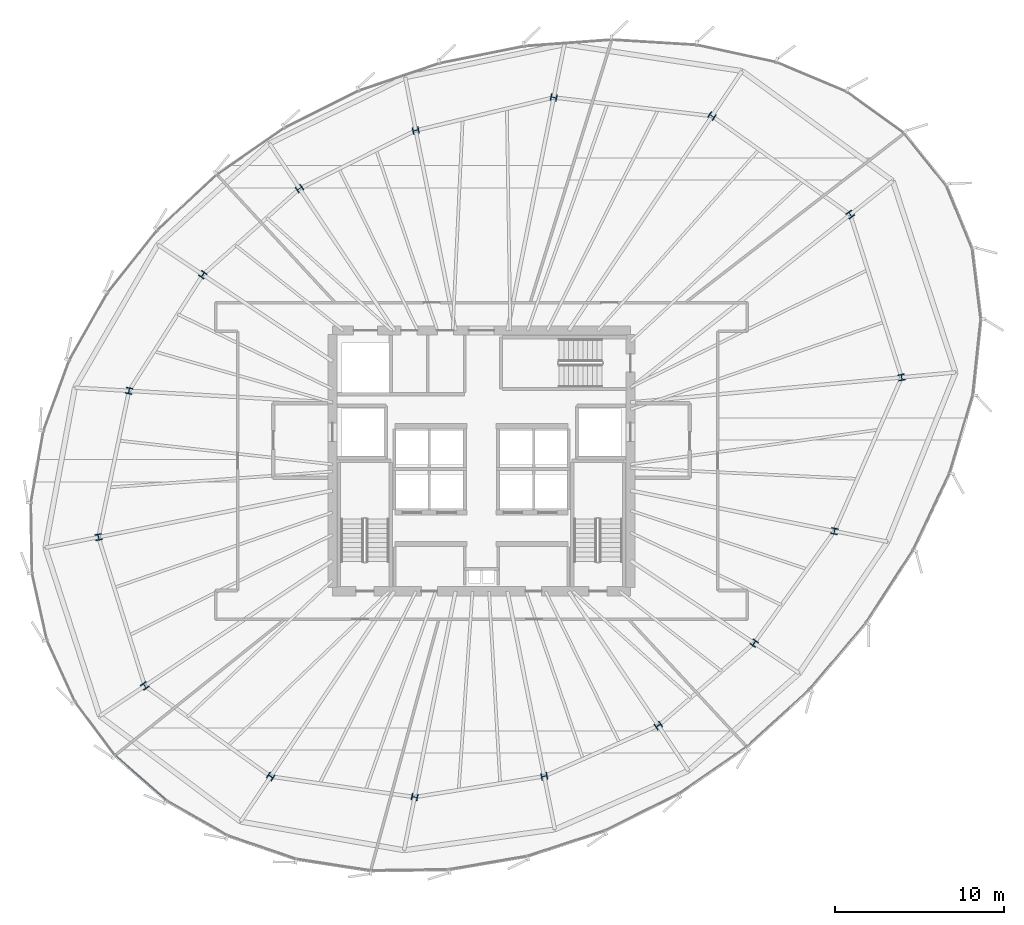
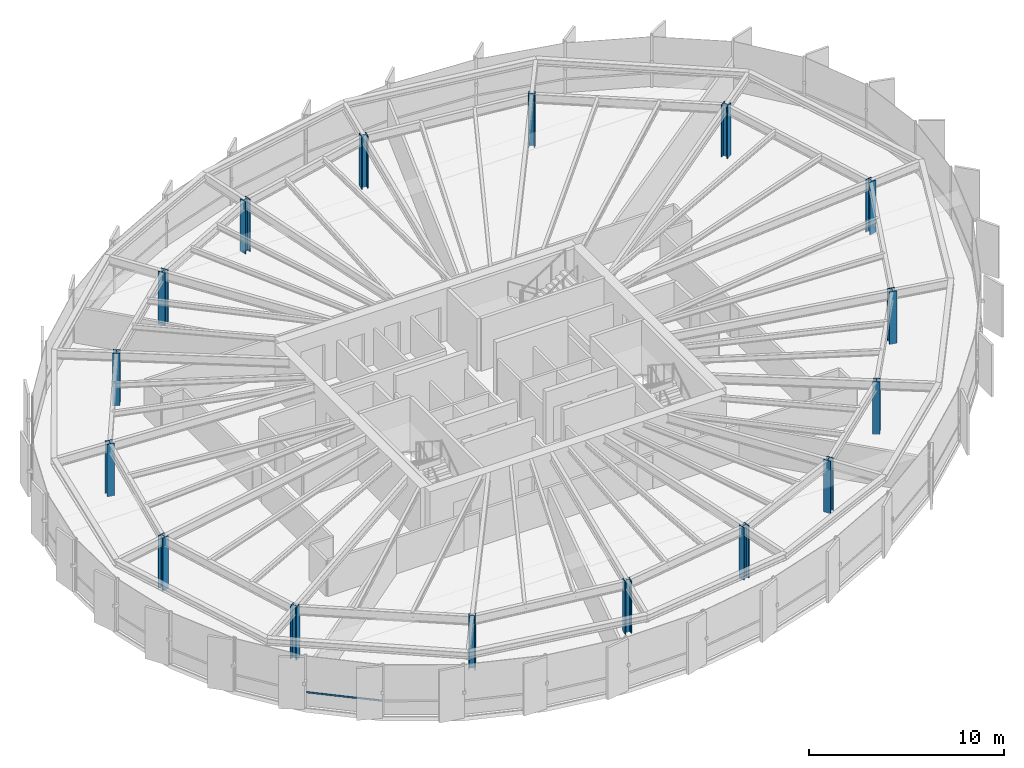
# One storey, part 1 of 32: 16 columns, 1 member, 1 element without a shape of its own.
"""IFC4 building model written with IfcOpenShell, lengths in metres."""

from ifc_helpers import new_model, si_unit, direction, frame, origin, origin_2d, place, context, subcontext, project, spatial, hollow_rectangle, i_section, extrude, source, transform, mapped, material, layer, layer_set, material_profile, profile_set, type_object, element, aggregate, save


model = new_model("IFC4")

# Units and contexts
model_context = context("Model", 3, precision=1e-05, world=origin(), true_north=direction((0.0, 1.0)))
body_context = subcontext(model_context, "Body", "Model", "MODEL_VIEW")
ifc_project = project(units=[si_unit("LENGTHUNIT", "METRE"), si_unit("AREAUNIT", "SQUARE_METRE"), si_unit("VOLUMEUNIT", "CUBIC_METRE"), si_unit("PLANEANGLEUNIT", "RADIAN"), si_unit("MASSUNIT", "GRAM", prefix="KILO"), si_unit("THERMODYNAMICTEMPERATUREUNIT", "KELVIN")], contexts=[model_context])

# Site, building, storey
site_placement = place(None, origin())
site = spatial("IfcSite", under=ifc_project, at=site_placement, CompositionType="ELEMENT")
building_placement = place(site_placement, origin())
building = spatial("IfcBuilding", under=site, at=building_placement, Name="Kethvar Cultural Tower", CompositionType="ELEMENT")
storey_placement = place(building_placement, frame((0.0, 0.0, 157.199951171875)))
storey = spatial("IfcBuildingStorey", under=building, at=storey_placement, Name="L40", CompositionType="ELEMENT", Elevation=157.199951171875)

# Columns
ifc_material_1 = material(Name="Steel S460M", Category="steel")
ifc_material_profile_1 = material_profile(ifc_material_1, i_section(OverallWidth=0.39697265625, OverallDepth=0.364990234375, WebThickness=0.028076171875, FlangeThickness=0.0439453125, FilletRadius=0.014892578125, at=origin_2d()), Name="Steel S460M — HD400x592")
ifc_profile_set_1 = profile_set([ifc_material_profile_1], Name="Steel S460M — HD400x592")
column_type = type_object("IfcColumnType", Name="COL-HD592", PredefinedType="COLUMN", material=ifc_profile_set_1)
shared_shape_1 = source(origin(), body_context, "Body", "SweptSolid", [
    extrude(i_section(OverallWidth=0.39697265625, OverallDepth=0.364990234375, WebThickness=0.028076171875, FlangeThickness=0.0439453125, FilletRadius=0.014892578125, at=origin_2d()), origin(), (0.0, 0.0, 1.0), 3.300048828125),
])
for number, where, z_axis, x_axis, name in (
    (1, (71.6025390625, 32.7333984375, 0.0), (0.0, 0.0, 1.0), (0.980785280403, 0.195090322016, 0.0), "L40 Mega-Column MC-01"),
    (2, (68.568603515625, 42.34521484375, 0.0), (0.0, 0.0, 1.0), (0.831469612303, 0.55557023302, 0.0), "L40 Mega-Column MC-02"),
    (3, (60.40478515625, 48.160888671875, 0.0), (0.0, 0.0, 1.0), (0.55557023302, 0.831469612303, 0.0), "L40 Mega-Column MC-03"),
    (4, (51.068603515625, 49.25927734375, 0.0), (0.0, 0.0, 1.0), (0.195090322016, 0.980785280403, 0.0), "L40 Mega-Column MC-04"),
    (5, (42.9189453125, 47.311279296875, 0.0), (0.0, 0.0, 1.0), (-0.195090322016, 0.980785280403, 0.0), "L40 Mega-Column MC-05"),
    (6, (36.0576171875, 43.877197265625, 0.0), (0.0, 0.0, 1.0), (-0.55557023302, 0.831469612303, 0.0), "L40 Mega-Column MC-06"),
    (7, (30.345947265625, 38.794189453125, 0.0), (0.0, 0.0, 1.0), (-0.831469612303, 0.55557023302, 0.0), "L40 Mega-Column MC-07"),
    (8, (25.988525390625, 31.939697265625, 0.0), (0.0, 0.0, 1.0), (-0.980785280403, 0.195090322016, 0.0), "L40 Mega-Column MC-08"),
    (9, (24.185302734375, 23.3017578125, 0.0), (0.0, 0.0, 1.0), (-0.980785280403, -0.195090322016, 0.0), "L40 Mega-Column MC-09"),
    (10, (26.920654296875, 14.51708984375, 0.0), (0.0, 0.0, 1.0), (-0.831469612303, -0.55557023302, 0.0), "L40 Mega-Column MC-10"),
    (11, (34.350830078125, 9.16845703125, 0.0), (0.0, 0.0, 1.0), (-0.55557023302, -0.831469612303, 0.0), "L40 Mega-Column MC-11"),
    (12, (42.852294921875, 7.95361328125, 0.0), (0.0, 0.0, 1.0), (-0.195090322016, -0.980785280403, 0.0), "L40 Mega-Column MC-12"),
    (13, (50.50341796875, 9.182373046875, 0.0), (0.0, 0.0, 1.0), (0.195090322016, -0.980785280403, 0.0), "L40 Mega-Column MC-13"),
    (14, (57.241943359375, 12.17236328125, 0.0), (0.0, 0.0, 1.0), (0.55557023302, -0.831469612303, 0.0), "L40 Mega-Column MC-14"),
    (15, (62.898681640625, 17.043212890625, 0.0), (0.0, 0.0, 1.0), (0.831469612303, -0.55557023302, 0.0), "L40 Mega-Column MC-15"),
    (16, (67.638671875, 23.65478515625, 0.0), (0.0, 0.0, 1.0), (0.980785280403, -0.195090322016, 0.0), "L40 Mega-Column MC-16"),
):
    element("IfcColumn", number, at=place(storey_placement, frame(where, z_axis=z_axis, x_axis=x_axis)), inside=storey, type_object=column_type, Name=name, PredefinedType="COLUMN", context=body_context, shape_type="MappedRepresentation", body=[
        mapped(shared_shape_1, transform((0.0, 0.0, 0.0), scale=1.0)),
    ])

# Curtain wall, member
ifc_material_2 = material(Name="Aluminium 6063-T6", Category="aluminium")
ifc_layer = layer(ifc_material_2, 0.179931640625, Name="Aluminium 6063-T6", Category="aluminium")
ifc_layer_set = layer_set([ifc_layer], Name="Aluminium 6063-T6 (180 mm)")
curtain_wall_type = type_object("IfcCurtainWallType", Name="CW-SYS-04-Z34", PredefinedType="NOTDEFINED", material=ifc_layer_set)
curtain_wall_placement = place(storey_placement, origin())
curtain_wall = element("IfcCurtainWall", 17, at=curtain_wall_placement, inside=storey, type_object=curtain_wall_type, Name="L40 Curtain Wall Run 04", PredefinedType="NOTDEFINED")
ifc_material_profile_2 = material_profile(ifc_material_2, hollow_rectangle(XDim=0.050048828125, YDim=0.10009765625, WallThickness=0.00390625, at=origin_2d()), Name="Aluminium 6063-T6 — RHS100x50x4")
ifc_profile_set_2 = profile_set([ifc_material_profile_2], Name="Aluminium 6063-T6 — RHS100x50x4")
member_type = type_object("IfcMemberType", Name="CW-SYS-04-Z34-TRN", PredefinedType="USERDEFINED", material=ifc_profile_set_2)
shared_shape_2 = source(origin(), body_context, "Body", "SweptSolid", [
    extrude(hollow_rectangle(XDim=0.050048828125, YDim=0.10009765625, WallThickness=0.00390625, at=origin_2d()), origin(), (0.0, 0.0, 1.0), 3.977783203125),
])
member_placement = place(storey_placement, frame((25.20849609375, 10.39404296875, 0.949951171875), z_axis=(0.751236827416, -0.660032748532, 0.0), x_axis=(0.660032748532, 0.751236827416, 0.0)))
member = element("IfcMember", 18, at=member_placement, type_object=member_type, Name="CW-L40-R04 Transom 2", ObjectType="TRANSOM", PredefinedType="USERDEFINED", context=body_context, shape_type="MappedRepresentation", body=[
    mapped(shared_shape_2, transform((0.0, 0.0, 0.0), scale=1.0)),
])
aggregate(curtain_wall, [member])

save(model, "model.ifc")
